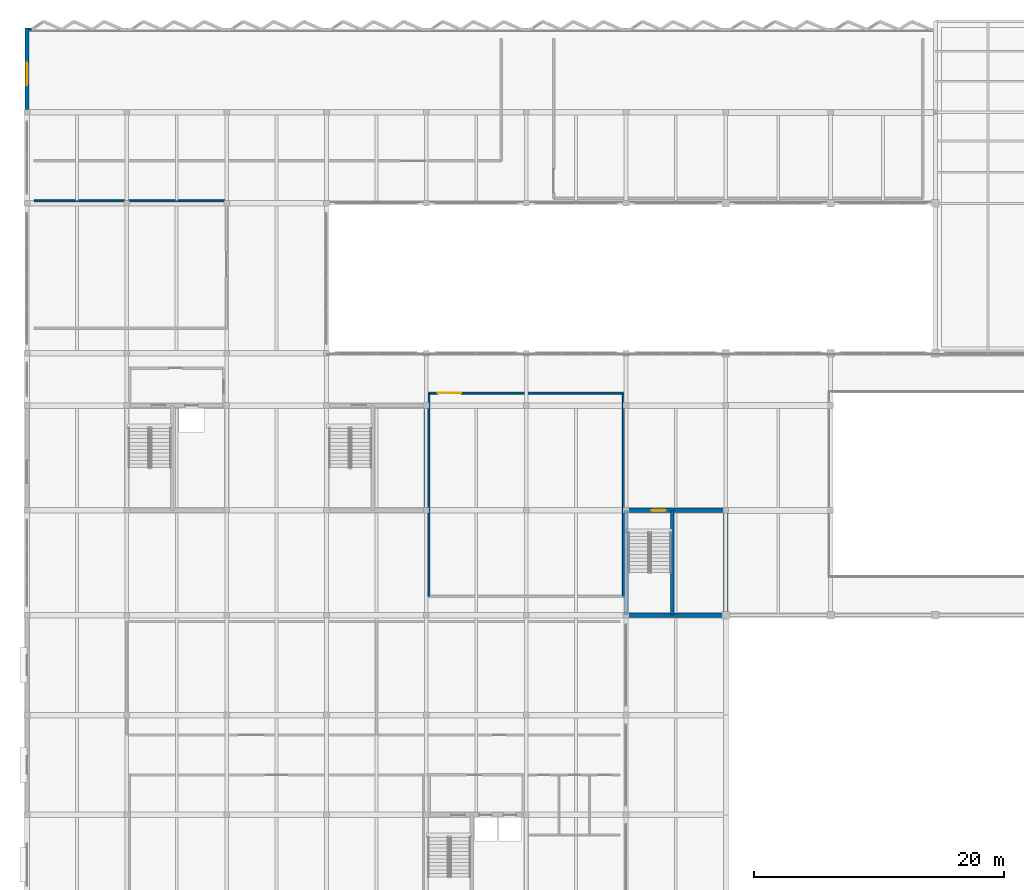
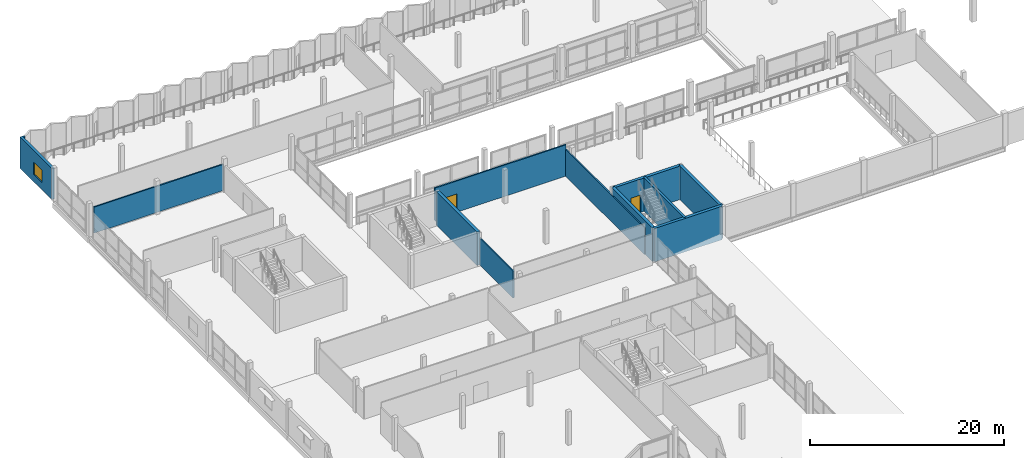
# One storey, part 39 of 53: 12 walls, 2 doors, 1 window, 3 openings.
"""IFC4 building model written with IfcOpenShell, lengths in metres."""

from ifc_helpers import new_model, si_unit, direction, frame, frame_2d, origin, place, context, subcontext, project, spatial, rectangle, extrude, material, layer, layer_set, type_object, element, fill, save


model = new_model("IFC4")

# Units and contexts
model_context = context("Model", 3, precision=1e-05, world=origin(), true_north=direction((0.0, 1.0)))
body_context = subcontext(model_context, "Body", "Model", "MODEL_VIEW")
ifc_project = project(units=[si_unit("LENGTHUNIT", "METRE"), si_unit("AREAUNIT", "SQUARE_METRE"), si_unit("VOLUMEUNIT", "CUBIC_METRE"), si_unit("PLANEANGLEUNIT", "RADIAN"), si_unit("MASSUNIT", "GRAM", prefix="KILO")], contexts=[model_context])

# Site, building, storey
site_placement = place(None, origin())
site = spatial("IfcSite", under=ifc_project, at=site_placement, CompositionType="ELEMENT")
building_placement = place(site_placement, origin())
building = spatial("IfcBuilding", under=site, at=building_placement, Name="Vharandega Faculty of Natural Sciences", CompositionType="ELEMENT")
storey_placement = place(building_placement, frame((0.0, 0.0, 10.199951171875)))
storey = spatial("IfcBuildingStorey", under=building, at=storey_placement, Name="L02", CompositionType="ELEMENT", Elevation=10.199951171875)

# Walls
ifc_material_1 = material(Name="Precast concrete C40/50", Category="concrete")
ifc_layer_1 = layer(ifc_material_1, 0.2099609375, Name="Precast concrete C40/50")
ifc_layer_set_1 = layer_set([ifc_layer_1], Name="Precast concrete C40/50")
wall_type_1 = type_object("IfcWallType", Name="Commons Sawtooth Street Wall 210", PredefinedType="SOLIDWALL", material=ifc_layer_set_1)
wall_1_placement = place(storey_placement, frame((0.14501953125, 110.949951171875, 0.0), z_axis=(0.0, 0.0, 1.0), x_axis=(1.0, 0.0, 0.0)))
element("IfcWall", 1, at=wall_1_placement, inside=storey, type_object=wall_type_1, Name="Exterior Wall EW-V2SHL-L02-1L", PredefinedType="SOLIDWALL", context=body_context, shape_type="SweptSolid", body=[
    extrude(rectangle(XDim=0.205078125, YDim=0.2099609375, at=frame_2d((0.1025390625, 0.0))), origin(), (0.0, 0.0, 1.0), 3.920166015625),
])
ifc_material_2 = material(Name="Concrete C40/50", Category="concrete")
ifc_layer_2 = layer(ifc_material_2, 0.35009765625, Name="Concrete C40/50")
ifc_layer_set_2 = layer_set([ifc_layer_2], Name="Concrete C40/50")
wall_type_2 = type_object("IfcWallType", Name="Core Shear Wall 350", PredefinedType="SHEAR", material=ifc_layer_set_2)
wall_2_placement = place(storey_placement, frame((48.0, 64.0, 0.0), z_axis=(0.0, 0.0, 1.0), x_axis=(1.0, 0.0, 0.0)))
element("IfcWall", 2, at=wall_2_placement, inside=storey, type_object=wall_type_2, Name="Interior Wall CW-C5-L02-S", PredefinedType="SHEAR", context=body_context, shape_type="SweptSolid", body=[
    extrude(rectangle(XDim=8.0, YDim=0.35009765625, at=frame_2d((4.0, 0.0))), origin(), (0.0, 0.0, 1.0), 4.199951171875),
])
for number, where, z_axis, x_axis, name in (
    (3, (48.0, 64.0, 0.0), (0.0, 0.0, 1.0), (0.0, 1.0, 0.0), "Interior Wall CW-C5-L02-W"),
    (4, (56.0, 64.0, 0.0), (0.0, 0.0, 1.0), (0.0, 1.0, 0.0), "Interior Wall CW-C5-L02-E"),
):
    element("IfcWall", number, at=place(storey_placement, frame(where, z_axis=z_axis, x_axis=x_axis)), inside=storey, type_object=wall_type_2, Name=name, PredefinedType="SHEAR", context=body_context, shape_type="SweptSolid", body=[
        extrude(rectangle(XDim=8.39990234375, YDim=0.35009765625, at=frame_2d((4.199951171875, 0.0))), origin(), (0.0, 0.0, 1.0), 4.199951171875),
    ])

# Wall, opening, door
wall_3_placement = place(storey_placement, frame((48.0, 72.39990234375, 0.0), z_axis=(0.0, 0.0, 1.0), x_axis=(1.0, 0.0, 0.0)))
wall_3 = element("IfcWall", 5, at=wall_3_placement, inside=storey, type_object=wall_type_2, Name="Interior Wall CW-C5-L02-N", PredefinedType="SHEAR", context=body_context, shape_type="SweptSolid", body=[
    extrude(rectangle(XDim=8.0, YDim=0.35009765625, at=frame_2d((4.0, 0.0))), origin(), (0.0, 0.0, 1.0), 4.199951171875),
])
opening_1_placement = place(wall_3_placement, frame((2.0400390625, 0.0, 0.0)))
opening_1 = element("IfcOpeningElement", 6, at=opening_1_placement, cuts=wall_3, Name="Opening FD1", PredefinedType="OPENING", context=body_context, shape_type="SweptSolid", body=[
    extrude(rectangle(XDim=1.14990234375, YDim=2.199951171875, at=frame_2d((0.574951171875, 1.10009765625))), frame((0.0, 0.18505859375, 0.0), z_axis=(0.0, -1.0, 0.0), x_axis=(1.0, 0.0, 0.0)), (0.0, 0.0, 1.0), 0.3701171875),
])
ifc_material_3 = material(Name="Solid-core hardwood timber fire door", Category="wood")
door_type_1 = type_object("IfcDoorType", Name="FD1-STAIR-1150x2200", OperationType="NOTDEFINED", PredefinedType="DOOR", material=ifc_material_3)
door_1_placement = place(opening_1_placement, origin())
door_1 = element("IfcDoor", 7, at=door_1_placement, inside=storey, type_object=door_type_1, Name="Stair ST5 Fire Door FD1", OperationType="SINGLE_SWING_LEFT", OverallHeight=2.199951171875, OverallWidth=1.14990234375, PredefinedType="DOOR", context=body_context, shape_type="SweptSolid", body=[
    extrude(rectangle(XDim=1.14990234375, YDim=2.199951171875, at=frame_2d((0.574951171875, 1.10009765625))), frame((0.0, 0.02490234375, 0.0), z_axis=(0.0, -1.0, 0.0), x_axis=(1.0, 0.0, 0.0)), (0.0, 0.0, 1.0), 0.050048828125),
])
fill(opening_1, door_1)

# Walls
wall_4_placement = place(storey_placement, frame((32.0, 72.39990234375, 0.0), z_axis=(0.0, 0.0, 1.0), x_axis=(0.0, 1.0, 0.0)))
element("IfcWall", 8, at=wall_4_placement, inside=storey, type_object=wall_type_2, Name="Interior Wall CW-C6-L02-E", PredefinedType="SHEAR", context=body_context, shape_type="SweptSolid", body=[
    extrude(rectangle(XDim=8.400146484375, YDim=0.35009765625, at=frame_2d((4.2001953125, 0.0))), origin(), (0.0, 0.0, 1.0), 4.199951171875),
])
ifc_material_4 = material(Name="Gypsum fire-board on steel stud", Category="steel")
ifc_layer_3 = layer(ifc_material_4, 0.159912109375, Name="Gypsum fire-board on steel stud")
ifc_layer_set_3 = layer_set([ifc_layer_3], Name="Gypsum fire-board on steel stud")
wall_type_3 = type_object("IfcWallType", Name="Laboratory Fire Corridor Wall 160", PredefinedType="PARTITIONING", material=ifc_layer_set_3)
wall_5_placement = place(storey_placement, frame((0.60009765625, 97.199951171875, 0.0), z_axis=(0.0, 0.0, 1.0), x_axis=(1.0, 0.0, 0.0)))
element("IfcWall", 9, at=wall_5_placement, inside=storey, type_object=wall_type_3, Name="Interior Wall PW-L02-R12N", PredefinedType="PARTITIONING", context=body_context, shape_type="SweptSolid", body=[
    extrude(rectangle(XDim=15.39990234375, YDim=0.159912109375, at=frame_2d((7.699951171875, 0.0))), origin(), (0.0, 0.0, 1.0), 3.280029296875),
])

# Wall, opening, door
wall_6_placement = place(storey_placement, frame((32.199951171875, 81.800048828125, 0.0), z_axis=(0.0, 0.0, 1.0), x_axis=(1.0, 0.0, 0.0)))
wall_6 = element("IfcWall", 10, at=wall_6_placement, inside=storey, type_object=wall_type_3, Name="Interior Wall PW-L02-R13N", PredefinedType="PARTITIONING", context=body_context, shape_type="SweptSolid", body=[
    extrude(rectangle(XDim=15.60009765625, YDim=0.159912109375, at=frame_2d((7.800048828125, 0.0))), origin(), (0.0, 0.0, 1.0), 3.93994140625),
])
opening_2_placement = place(wall_6_placement, frame((0.699951171875, 0.0, 0.0)))
opening_2 = element("IfcOpeningElement", 11, at=opening_2_placement, cuts=wall_6, Name="Opening D0277", PredefinedType="OPENING", context=body_context, shape_type="SweptSolid", body=[
    extrude(rectangle(XDim=1.89990234375, YDim=2.300048828125, at=frame_2d((0.949951171875, 1.14990234375))), frame((0.0, 0.08984375, 0.0), z_axis=(0.0, -1.0, 0.0), x_axis=(1.0, 0.0, 0.0)), (0.0, 0.0, 1.0), 0.179931640625),
])
ifc_material_5 = material(Name="Solid-core hardwood timber fire door", Category="wood")
door_type_2 = type_object("IfcDoorType", Name="ID08-COMMONS-DBL-1900x2300", OperationType="DOUBLE_DOOR_SINGLE_SWING", PredefinedType="DOOR", material=ifc_material_5)
door_2_placement = place(opening_2_placement, origin())
door_2 = element("IfcDoor", 12, at=door_2_placement, inside=storey, type_object=door_type_2, Name="L02 Atrium West Study Gallery Door D0277", OperationType="DOUBLE_DOOR_SINGLE_SWING", OverallHeight=2.300048828125, OverallWidth=1.89990234375, PredefinedType="DOOR", context=body_context, shape_type="SweptSolid", body=[
    extrude(rectangle(XDim=1.89990234375, YDim=2.300048828125, at=frame_2d((0.949951171875, 1.14990234375))), frame((0.0, 0.02490234375, 0.0), z_axis=(0.0, -1.0, 0.0), x_axis=(1.0, 0.0, 0.0)), (0.0, 0.0, 1.0), 0.050048828125),
])
fill(opening_2, door_2)

# Walls
for number, where, z_axis, x_axis, name in (
    (13, (32.199951171875, 65.5, 0.0), (0.0, 0.0, 1.0), (0.0, 1.0, 0.0), "Interior Wall PW-L02-R13W"),
    (14, (47.800048828125, 65.5, 0.0), (0.0, 0.0, 1.0), (0.0, 1.0, 0.0), "Interior Wall PW-L02-R13E"),
):
    element("IfcWall", number, at=place(storey_placement, frame(where, z_axis=z_axis, x_axis=x_axis)), inside=storey, type_object=wall_type_3, Name=name, PredefinedType="PARTITIONING", context=body_context, shape_type="SweptSolid", body=[
        extrude(rectangle(XDim=16.300048828125, YDim=0.159912109375, at=frame_2d((8.14990234375, 0.0))), origin(), (0.0, 0.0, 1.0), 3.360107421875),
    ])
ifc_material_6 = material(Name="Concrete C40/50", Category="concrete")
ifc_layer_4 = layer(ifc_material_6, 0.260009765625, Name="Concrete C40/50")
ifc_layer_set_4 = layer_set([ifc_layer_4], Name="Concrete C40/50")
wall_type_4 = type_object("IfcWallType", Name="Lift Shaft Shear Wall 260", PredefinedType="SHEAR", material=ifc_layer_set_4)
wall_7_placement = place(storey_placement, frame((51.699951171875, 64.0, 0.0), z_axis=(0.0, 0.0, 1.0), x_axis=(0.0, 1.0, 0.0)))
element("IfcWall", 15, at=wall_7_placement, inside=storey, type_object=wall_type_4, Name="Interior Wall CW-C5-L02-DIV", PredefinedType="SHEAR", context=body_context, shape_type="SweptSolid", body=[
    extrude(rectangle(XDim=8.39990234375, YDim=0.260009765625, at=frame_2d((4.199951171875, 0.0))), origin(), (0.0, 0.0, 1.0), 4.199951171875),
])

# Wall, opening, window
ifc_material_7 = material(Name="Precast concrete C40/50", Category="concrete")
ifc_layer_5 = layer(ifc_material_7, 0.300048828125, Name="Precast concrete C40/50")
ifc_layer_set_5 = layer_set([ifc_layer_5], Name="Precast concrete C40/50")
wall_type_5 = type_object("IfcWallType", Name="Polychrome Precast Facade Wall 300", PredefinedType="SOLIDWALL", material=ifc_layer_set_5)
wall_8_placement = place(storey_placement, frame((0.0, 104.52294921875, 0.0), z_axis=(0.0, 0.0, 1.0), x_axis=(0.0, 1.0, 0.0)))
wall_8 = element("IfcWall", 16, at=wall_8_placement, inside=storey, type_object=wall_type_5, Name="Exterior Wall EW-V2W-L02-6", PredefinedType="SOLIDWALL", context=body_context, shape_type="SweptSolid", body=[
    extrude(rectangle(XDim=6.531982421875, YDim=0.300048828125, at=frame_2d((3.26611328125, 0.0))), origin(), (0.0, 0.0, 1.0), 3.920166015625),
])
opening_3_placement = place(wall_8_placement, frame((1.95703125, 0.0, 0.89990234375)))
opening_3 = element("IfcOpeningElement", 17, at=opening_3_placement, cuts=wall_8, Name="Opening WN-20", PredefinedType="OPENING", context=body_context, shape_type="SweptSolid", body=[
    extrude(rectangle(XDim=1.800048828125, YDim=1.550048828125, at=frame_2d((0.89990234375, 0.77490234375))), frame((0.0, 0.16015625, 0.0), z_axis=(0.0, -1.0, 0.0), x_axis=(1.0, 0.0, 0.0)), (0.0, 0.0, 1.0), 0.320068359375),
])
ifc_material_8 = material(Name="Double-glazed solar-control glass in thermally broken aluminium frame", Category="aluminium")
window_type = type_object("IfcWindowType", Name="WIN-SEM-180x155", PartitioningType="DOUBLE_PANEL_VERTICAL", PredefinedType="WINDOW", material=ifc_material_8)
window_placement = place(opening_3_placement, origin())
window = element("IfcWindow", 18, at=window_placement, inside=storey, type_object=window_type, Name="Window WIN-L02-0184", OverallHeight=1.550048828125, OverallWidth=1.800048828125, PartitioningType="SINGLE_PANEL", PredefinedType="WINDOW", context=body_context, shape_type="SweptSolid", body=[
    extrude(rectangle(XDim=1.800048828125, YDim=1.550048828125, at=frame_2d((0.89990234375, 0.77490234375))), frame((0.0, 0.030029296875, 0.0), z_axis=(0.0, -1.0, 0.0), x_axis=(1.0, 0.0, 0.0)), (0.0, 0.0, 1.0), 0.06005859375),
])
fill(opening_3, window)

save(model, "model.ifc")
